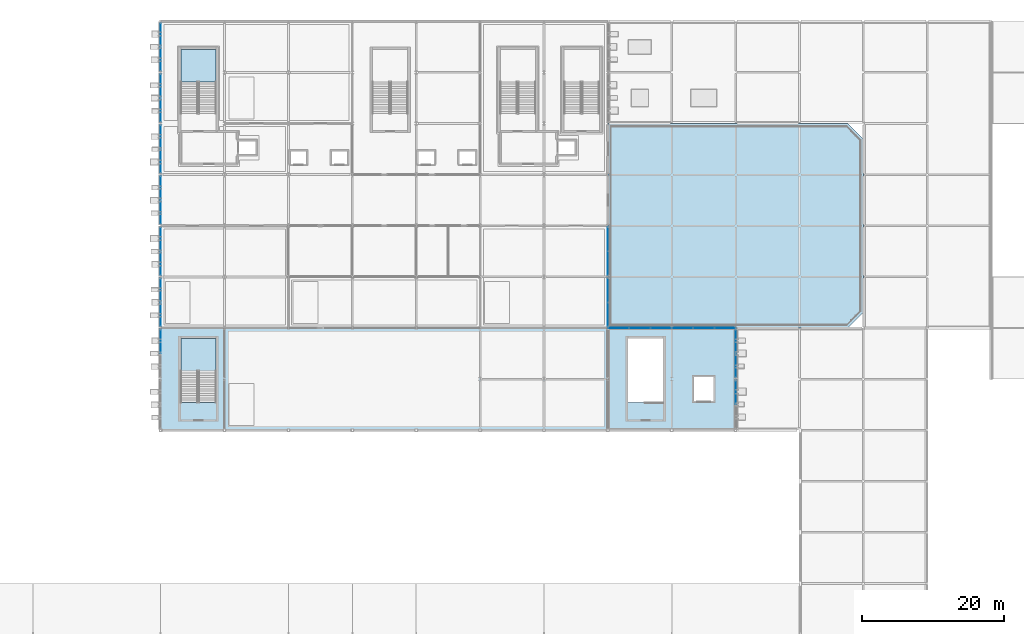
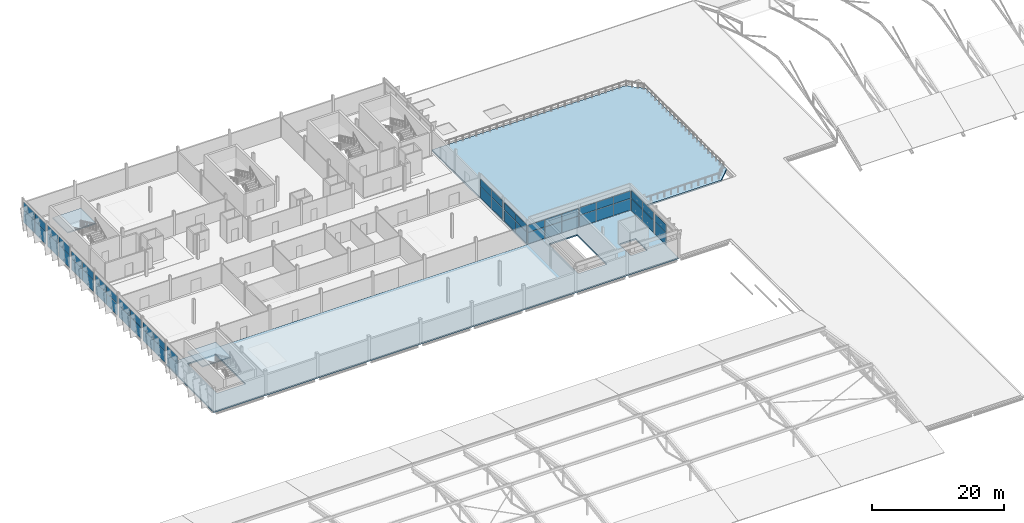
# One storey, part 55 of 78: 52 plates, 4 slabs, 15 elements without a shape of their own.
"""IFC4 building model written with IfcOpenShell, lengths in metres."""

import ifcopenshell
import ifcopenshell.guid

model = None  # the IFC model being written
_history = None  # IfcOwnerHistory: only IFC2X3 demands one
_inside = {}  # id of a spatial element -> (the spatial element, [elements in it])
_under = {}  # id of a project, library or spatial element -> (it, [spatial elements below it])
_declared = {}  # id of a project -> (the project, [libraries it declares])
_typed = {}  # id of a type object -> (the type object, [elements of that type])
_made_of = {}  # id of a material, layer set ... -> (it, [elements and type objects made of it])


def new_model(schema):
    """Start an empty IFC model of exactly this schema.

    Asked for "IFC4X3", IfcOpenShell would pick the latest addendum, in which some entities
    have other attributes; the version numbers below select the first issue.
    IFC2X3 requires an IfcOwnerHistory on every rooted entity: one is made here for all.
    """
    global model, _history
    if schema == "IFC4X3":
        model = ifcopenshell.file(schema_version=(4, 3, 0, 0))
    else:
        model = ifcopenshell.file(schema=schema)
    _inside.clear()
    _under.clear()
    _declared.clear()
    _typed.clear()
    _made_of.clear()
    _history = None
    if model.schema == "IFC2X3":
        org = make("IfcOrganization", Name="unknown")
        user = make(
            "IfcPersonAndOrganization",
            ThePerson=make("IfcPerson", FamilyName="unknown"),
            TheOrganization=org,
        )
        app = make(
            "IfcApplication",
            ApplicationDeveloper=org,
            Version="unknown",
            ApplicationFullName="unknown",
            ApplicationIdentifier="unknown",
        )
        _history = make(
            "IfcOwnerHistory",
            OwningUser=user,
            OwningApplication=app,
            ChangeAction="ADDED",
            CreationDate=0,
        )
    return model


def make(cls, **values):
    """One entity of the class cls with the attributes given. An attribute that is None is left unset."""
    return model.create_entity(
        cls, **{name: value for name, value in values.items() if value is not None}
    )


def rooted(cls, **values):
    """An entity with a GlobalId (a new one), such as an element, a storey or a relation."""
    return make(cls, GlobalId=ifcopenshell.guid.new(), OwnerHistory=_history, **values)


def si_unit(unit_type, name, prefix=None):
    """IfcSIUnit, for example si_unit("LENGTHUNIT", "METRE", prefix="MILLI")."""
    return make("IfcSIUnit", UnitType=unit_type, Prefix=prefix, Name=name)


def assignment(units):
    """IfcUnitAssignment: the units of a project."""
    return None if units is None else make("IfcUnitAssignment", Units=units)


def point(xyz):
    """IfcCartesianPoint."""
    return None if xyz is None else make("IfcCartesianPoint", Coordinates=xyz)


def direction(xyz):
    """IfcDirection."""
    return None if xyz is None else make("IfcDirection", DirectionRatios=xyz)


def frame(location, z_axis=None, x_axis=None):
    """IfcAxis2Placement3D, a coordinate frame: its origin and axes. An axis left out is left unset."""
    return make(
        "IfcAxis2Placement3D",
        Location=point(location),
        Axis=direction(z_axis),
        RefDirection=direction(x_axis),
    )


def frame_2d(location, x_axis=None):
    """IfcAxis2Placement2D, a coordinate frame in the plane: its origin and x axis."""
    return make(
        "IfcAxis2Placement2D", Location=point(location), RefDirection=direction(x_axis)
    )


def origin():
    """The frame at (0, 0, 0) with its axes left unset."""
    return frame((0.0, 0.0, 0.0))


def origin_2d():
    """The frame at (0, 0) in the plane with its x axis left unset."""
    return frame_2d((0.0, 0.0))


def place(relative_to, where):
    """IfcLocalPlacement: puts the frame where relative to a parent placement (None: the world)."""
    return make(
        "IfcLocalPlacement", PlacementRelTo=relative_to, RelativePlacement=where
    )


def context(
    kind, dimensions, precision=None, world=None, true_north=None, identifier=None
):
    """IfcGeometricRepresentationContext, for example the 3D "Model" context."""
    return make(
        "IfcGeometricRepresentationContext",
        ContextIdentifier=identifier,
        ContextType=kind,
        CoordinateSpaceDimension=dimensions,
        Precision=precision,
        WorldCoordinateSystem=world,
        TrueNorth=true_north,
    )


def subcontext(parent, identifier, kind, view, scale=None):
    """IfcGeometricRepresentationSubContext, for example "Body" below "Model"."""
    return make(
        "IfcGeometricRepresentationSubContext",
        ContextIdentifier=identifier,
        ContextType=kind,
        ParentContext=parent,
        TargetScale=scale,
        TargetView=view,
    )


def project(units=None, contexts=None):
    """IfcProject with its units and contexts."""
    return rooted(
        "IfcProject",
        Name="project",
        RepresentationContexts=contexts,
        UnitsInContext=assignment(units),
    )


def spatial(cls, under=None, at=None, **own):
    """A site, building, storey or space (cls), placed at a placement, below another one or the project."""
    s = rooted(cls, ObjectPlacement=at, **own)
    if under is not None:
        _under.setdefault(under.id(), (under, []))[1].append(s)
    return s


def polyline(points):
    """IfcPolyline through the points."""
    return make("IfcPolyline", Points=[point(p) for p in points])


def profile(cls, at=None, kind="AREA", **sizes):
    """A parametric profile (cls). Its sizes go by their IFC names, for example OverallWidth=200.0."""
    return make(cls, ProfileType=kind, Position=at, **sizes)


def rectangle(**sizes):
    """IfcRectangleProfileDef."""
    return profile("IfcRectangleProfileDef", **sizes)


def outline(outer, holes=None, kind="AREA"):
    """IfcArbitraryClosedProfileDef: a profile drawn as a closed curve; with holes, ...WithVoids."""
    if holes is None:
        return make("IfcArbitraryClosedProfileDef", ProfileType=kind, OuterCurve=outer)
    return make(
        "IfcArbitraryProfileDefWithVoids",
        ProfileType=kind,
        OuterCurve=outer,
        InnerCurves=holes,
    )


def extrude(swept, where, along, depth):
    """IfcExtrudedAreaSolid: the profile swept, set in the frame where, extruded along a direction by depth."""
    return make(
        "IfcExtrudedAreaSolid",
        SweptArea=swept,
        Position=where,
        ExtrudedDirection=direction(along),
        Depth=depth,
    )


def shape(context_of_items, identifier, shape_type, items):
    """IfcShapeRepresentation: the items that make up one representation, for example the "Body"."""
    return make(
        "IfcShapeRepresentation",
        ContextOfItems=context_of_items,
        RepresentationIdentifier=identifier,
        RepresentationType=shape_type,
        Items=items,
    )


def material(Name=None, Category=None):
    """IfcMaterial."""
    return make("IfcMaterial", Name=Name, Category=Category)


def layer(
    of_material, thickness, ventilated=None, Name=None, Category=None, Priority=None
):
    """IfcMaterialLayer: one layer of a wall or slab, of a material (None: an air gap)."""
    return make(
        "IfcMaterialLayer",
        Material=of_material,
        LayerThickness=thickness,
        IsVentilated=ventilated,
        Name=Name,
        Category=Category,
        Priority=Priority,
    )


def layer_set(layers, Name=None):
    """IfcMaterialLayerSet."""
    return make("IfcMaterialLayerSet", MaterialLayers=layers, LayerSetName=Name)


def made_of(thing, what):
    """Note that an element or type object is made of a material, layer set ...; save() writes the relation."""
    if what is not None:
        _made_of.setdefault(what.id(), (what, []))[1].append(thing)
    return thing


def type_object(cls, material=None, **own):
    """A type object (cls), such as IfcWallType, which elements share."""
    return made_of(rooted(cls, **own), material)


def element(
    cls,
    number,
    at=None,
    inside=None,
    cuts=None,
    type_object=None,
    material=None,
    context=None,
    identifier="Body",
    shape_type=None,
    held_by="IfcProductDefinitionShape",
    body=None,
    shapes=None,
    **own,
):
    """One element of the class cls, such as IfcWall. Its Tag is "e" and its number.

    at: its placement. inside: the storey or other place that contains it. cuts: it is an
    opening in that element (IfcRelVoidsElement). A single representation is given by context,
    identifier, shape_type and body (its items); several are given by shapes. held_by: the class
    of the entity that holds the representations. save() writes the other relations.
    """
    e = rooted(cls, Tag="e%d" % number, ObjectPlacement=at, **own)
    if body is not None:
        shapes = [shape(context, identifier, shape_type, body)]
    if shapes is not None:
        e.Representation = make(held_by, Representations=shapes)
    if inside is not None:
        _inside.setdefault(inside.id(), (inside, []))[1].append(e)
    if cuts is not None:
        rooted(
            "IfcRelVoidsElement", RelatingBuildingElement=cuts, RelatedOpeningElement=e
        )
    if type_object is not None:
        _typed.setdefault(type_object.id(), (type_object, []))[1].append(e)
    return made_of(e, material)


def aggregate(whole, parts):
    """IfcRelAggregates: a whole, such as a stair, and the parts it consists of."""
    return rooted("IfcRelAggregates", RelatingObject=whole, RelatedObjects=parts)


def save(model, path):
    """Write the relations noted so far, then the file.

    IfcRelAggregates (storeys below a building ...), IfcRelContainedInSpatialStructure (elements
    in a storey), IfcRelDefinesByType, IfcRelAssociatesMaterial and IfcRelDeclares: one each for
    every whole, place, type object, material and project.
    """
    for whole, parts in _under.values():
        aggregate(whole, parts)
    for where, things in _inside.values():
        rooted(
            "IfcRelContainedInSpatialStructure",
            RelatedElements=things,
            RelatingStructure=where,
        )
    for kind, things in _typed.values():
        rooted("IfcRelDefinesByType", RelatedObjects=things, RelatingType=kind)
    for what, things in _made_of.values():
        rooted("IfcRelAssociatesMaterial", RelatedObjects=things, RelatingMaterial=what)
    for by, libraries in _declared.values():
        rooted("IfcRelDeclares", RelatingContext=by, RelatedDefinitions=libraries)
    model.write(path)


model = new_model("IFC4")

# Units and contexts
model_context = context("Model", 3, precision=1e-05, world=origin(), true_north=direction((0.0, 1.0)))
body_context = subcontext(model_context, "Body", "Model", "MODEL_VIEW")
ifc_project = project(units=[si_unit("LENGTHUNIT", "METRE"), si_unit("AREAUNIT", "SQUARE_METRE"), si_unit("VOLUMEUNIT", "CUBIC_METRE"), si_unit("PLANEANGLEUNIT", "RADIAN"), si_unit("MASSUNIT", "GRAM", prefix="KILO")], contexts=[model_context])

# Site, building, storey
site_placement = place(None, origin())
site = spatial("IfcSite", under=ifc_project, at=site_placement, CompositionType="ELEMENT")
building_placement = place(site_placement, origin())
building = spatial("IfcBuilding", under=site, at=building_placement, Name="Celestram Park Convention Centre", CompositionType="ELEMENT")
storey_placement = place(building_placement, frame((0.0, 0.0, 19.800048828125)))
storey = spatial("IfcBuildingStorey", under=building, at=storey_placement, Name="L04", CompositionType="ELEMENT", Elevation=19.800048828125)

# Curtain wall, plates
ifc_material_1 = material(Name="Anodised Aluminium Alloy 6063-T6", Category="aluminium")
ifc_layer_1 = layer(ifc_material_1, 0.179931640625)
ifc_layer_set_1 = layer_set([ifc_layer_1], Name="Anodised Aluminium Alloy 6063-T6")
curtain_wall_type_1 = type_object("IfcCurtainWallType", Name="ARC-CW-685X390", PredefinedType="NOTDEFINED", material=ifc_layer_set_1)
curtain_wall_1_placement = place(storey_placement, origin())
curtain_wall_1 = element("IfcCurtainWall", 1, at=curtain_wall_1_placement, inside=storey, type_object=curtain_wall_type_1, Name="Unitised curtain wall CU-L04-227", PredefinedType="NOTDEFINED")
ifc_material_2 = material(Name="Insulated Glazing Unit 28 mm", Category="glass")
ifc_layer_2 = layer(ifc_material_2, 0.028076171875)
ifc_layer_set_2 = layer_set([ifc_layer_2], Name="Insulated Glazing Unit 28 mm")
plate_type_1 = type_object("IfcPlateType", Name="ARC-CWP-IGU28", PredefinedType="CURTAIN_PANEL", material=ifc_layer_set_2)
plate_1_placement = place(storey_placement, frame((117.0, 120.495849609375, 0.06005859375), z_axis=(0.0, 0.0, 1.0), x_axis=(0.0, -1.0, 0.0)))
plate_1 = element("IfcPlate", 2, at=plate_1_placement, type_object=plate_type_1, Name="CW-68X39 panel 1.1", PredefinedType="CURTAIN_PANEL", context=body_context, shape_type="SweptSolid", body=[
    extrude(rectangle(XDim=3.326416015625, YDim=0.028076171875, at=origin_2d()), origin(), (0.0, 0.0, 1.0), 2.251953125),
])
plate_2_placement = place(storey_placement, frame((117.0, 120.495849609375, 2.3720703125), z_axis=(0.0, 0.0, 1.0), x_axis=(0.0, -1.0, 0.0)))
plate_2 = element("IfcPlate", 3, at=plate_2_placement, type_object=plate_type_1, Name="CW-68X39 panel 1.2", PredefinedType="CURTAIN_PANEL", context=body_context, shape_type="SweptSolid", body=[
    extrude(rectangle(XDim=3.326416015625, YDim=0.028076171875, at=origin_2d()), origin(), (0.0, 0.0, 1.0), 1.471923828125),
])
plate_3_placement = place(storey_placement, frame((117.0, 117.104248046875, 0.06005859375), z_axis=(0.0, 0.0, 1.0), x_axis=(0.0, -1.0, 0.0)))
plate_3 = element("IfcPlate", 4, at=plate_3_placement, type_object=plate_type_1, Name="CW-68X39 panel 2.1", PredefinedType="CURTAIN_PANEL", context=body_context, shape_type="SweptSolid", body=[
    extrude(rectangle(XDim=3.326416015625, YDim=0.028076171875, at=origin_2d()), origin(), (0.0, 0.0, 1.0), 2.251953125),
])
plate_4_placement = place(storey_placement, frame((117.0, 117.104248046875, 2.3720703125), z_axis=(0.0, 0.0, 1.0), x_axis=(0.0, -1.0, 0.0)))
plate_4 = element("IfcPlate", 5, at=plate_4_placement, type_object=plate_type_1, Name="CW-68X39 panel 2.2", PredefinedType="CURTAIN_PANEL", context=body_context, shape_type="SweptSolid", body=[
    extrude(rectangle(XDim=3.326416015625, YDim=0.028076171875, at=origin_2d()), origin(), (0.0, 0.0, 1.0), 1.471923828125),
])
aggregate(curtain_wall_1, [plate_1, plate_2, plate_3, plate_4])

ifc_layer_3 = layer(ifc_material_1, 0.179931640625)
ifc_layer_set_3 = layer_set([ifc_layer_3], Name="Anodised Aluminium Alloy 6063-T6")
curtain_wall_type_2 = type_object("IfcCurtainWallType", Name="ARC-CW-683X390", PredefinedType="NOTDEFINED", material=ifc_layer_set_3)
curtain_wall_2_placement = place(storey_placement, origin())
curtain_wall_2 = element("IfcCurtainWall", 6, at=curtain_wall_2_placement, inside=storey, type_object=curtain_wall_type_2, Name="Unitised curtain wall CU-L04-228", PredefinedType="NOTDEFINED")
plate_5_placement = place(storey_placement, frame((117.0, 113.30126953125, 0.06005859375), z_axis=(0.0, 0.0, 1.0), x_axis=(0.0, -1.0, 0.0)))
plate_5 = element("IfcPlate", 7, at=plate_5_placement, type_object=plate_type_1, Name="CW-68X39 panel 1.1", PredefinedType="CURTAIN_PANEL", context=body_context, shape_type="SweptSolid", body=[
    extrude(rectangle(XDim=3.3154296875, YDim=0.028076171875, at=origin_2d()), origin(), (0.0, 0.0, 1.0), 2.251953125),
])
plate_6_placement = place(storey_placement, frame((117.0, 113.30126953125, 2.3720703125), z_axis=(0.0, 0.0, 1.0), x_axis=(0.0, -1.0, 0.0)))
plate_6 = element("IfcPlate", 8, at=plate_6_placement, type_object=plate_type_1, Name="CW-68X39 panel 1.2", PredefinedType="CURTAIN_PANEL", context=body_context, shape_type="SweptSolid", body=[
    extrude(rectangle(XDim=3.3154296875, YDim=0.028076171875, at=origin_2d()), origin(), (0.0, 0.0, 1.0), 1.471923828125),
])
aggregate(curtain_wall_2, [plate_5, plate_6])

ifc_layer_4 = layer(ifc_material_1, 0.179931640625)
ifc_layer_set_4 = layer_set([ifc_layer_4], Name="Anodised Aluminium Alloy 6063-T6")
curtain_wall_type_3 = type_object("IfcCurtainWallType", Name="ARC-CW-683X365", PredefinedType="NOTDEFINED", material=ifc_layer_set_4)
curtain_wall_3_placement = place(storey_placement, origin())
curtain_wall_3 = element("IfcCurtainWall", 9, at=curtain_wall_3_placement, inside=storey, type_object=curtain_wall_type_3, Name="Unitised curtain wall CU-L04-230", PredefinedType="NOTDEFINED")
plate_7_placement = place(storey_placement, frame((36.0, 120.491455078125, 0.059814453125), z_axis=(0.0, 0.0, 1.0), x_axis=(0.0, 1.0, 0.0)))
plate_7 = element("IfcPlate", 10, at=plate_7_placement, type_object=plate_type_1, Name="CW-68X36 panel 2.1", PredefinedType="CURTAIN_PANEL", context=body_context, shape_type="SweptSolid", body=[
    extrude(rectangle(XDim=3.318115234375, YDim=0.028076171875, at=origin_2d()), origin(), (0.0, 0.0, 1.0), 2.09912109375),
])
plate_8_placement = place(storey_placement, frame((36.0, 120.491455078125, 2.21923828125), z_axis=(0.0, 0.0, 1.0), x_axis=(0.0, 1.0, 0.0)))
plate_8 = element("IfcPlate", 11, at=plate_8_placement, type_object=plate_type_1, Name="CW-68X36 panel 2.2", PredefinedType="CURTAIN_PANEL", context=body_context, shape_type="SweptSolid", body=[
    extrude(rectangle(XDim=3.318115234375, YDim=0.028076171875, at=origin_2d()), origin(), (0.0, 0.0, 1.0), 1.368896484375),
])
aggregate(curtain_wall_3, [plate_7, plate_8])

curtain_wall_4_placement = place(storey_placement, origin())
curtain_wall_4 = element("IfcCurtainWall", 12, at=curtain_wall_4_placement, inside=storey, type_object=curtain_wall_type_3, Name="Unitised curtain wall CU-L04-231", PredefinedType="NOTDEFINED")
plate_9_placement = place(storey_placement, frame((36.0, 124.30859375, 0.059814453125), z_axis=(0.0, 0.0, 1.0), x_axis=(0.0, 1.0, 0.0)))
plate_9 = element("IfcPlate", 13, at=plate_9_placement, type_object=plate_type_1, Name="CW-68X36 panel 1.1", PredefinedType="CURTAIN_PANEL", context=body_context, shape_type="SweptSolid", body=[
    extrude(rectangle(XDim=3.318115234375, YDim=0.028076171875, at=origin_2d()), origin(), (0.0, 0.0, 1.0), 2.09912109375),
])
plate_10_placement = place(storey_placement, frame((36.0, 124.30859375, 2.21923828125), z_axis=(0.0, 0.0, 1.0), x_axis=(0.0, 1.0, 0.0)))
plate_10 = element("IfcPlate", 14, at=plate_10_placement, type_object=plate_type_1, Name="CW-68X36 panel 1.2", PredefinedType="CURTAIN_PANEL", context=body_context, shape_type="SweptSolid", body=[
    extrude(rectangle(XDim=3.318115234375, YDim=0.028076171875, at=origin_2d()), origin(), (0.0, 0.0, 1.0), 1.368896484375),
])
plate_11_placement = place(storey_placement, frame((36.0, 127.69140625, 0.059814453125), z_axis=(0.0, 0.0, 1.0), x_axis=(0.0, 1.0, 0.0)))
plate_11 = element("IfcPlate", 15, at=plate_11_placement, type_object=plate_type_1, Name="CW-68X36 panel 2.1", PredefinedType="CURTAIN_PANEL", context=body_context, shape_type="SweptSolid", body=[
    extrude(rectangle(XDim=3.318115234375, YDim=0.028076171875, at=origin_2d()), origin(), (0.0, 0.0, 1.0), 2.09912109375),
])
plate_12_placement = place(storey_placement, frame((36.0, 127.69140625, 2.21923828125), z_axis=(0.0, 0.0, 1.0), x_axis=(0.0, 1.0, 0.0)))
plate_12 = element("IfcPlate", 16, at=plate_12_placement, type_object=plate_type_1, Name="CW-68X36 panel 2.2", PredefinedType="CURTAIN_PANEL", context=body_context, shape_type="SweptSolid", body=[
    extrude(rectangle(XDim=3.318115234375, YDim=0.028076171875, at=origin_2d()), origin(), (0.0, 0.0, 1.0), 1.368896484375),
])
aggregate(curtain_wall_4, [plate_9, plate_10, plate_11, plate_12])

curtain_wall_5_placement = place(storey_placement, origin())
curtain_wall_5 = element("IfcCurtainWall", 17, at=curtain_wall_5_placement, inside=storey, type_object=curtain_wall_type_3, Name="Unitised curtain wall CU-L04-232", PredefinedType="NOTDEFINED")
plate_13_placement = place(storey_placement, frame((36.0, 131.508544921875, 0.059814453125), z_axis=(0.0, 0.0, 1.0), x_axis=(0.0, 1.0, 0.0)))
plate_13 = element("IfcPlate", 18, at=plate_13_placement, type_object=plate_type_1, Name="CW-68X36 panel 1.1", PredefinedType="CURTAIN_PANEL", context=body_context, shape_type="SweptSolid", body=[
    extrude(rectangle(XDim=3.318115234375, YDim=0.028076171875, at=origin_2d()), origin(), (0.0, 0.0, 1.0), 2.09912109375),
])
plate_14_placement = place(storey_placement, frame((36.0, 131.508544921875, 2.21923828125), z_axis=(0.0, 0.0, 1.0), x_axis=(0.0, 1.0, 0.0)))
plate_14 = element("IfcPlate", 19, at=plate_14_placement, type_object=plate_type_1, Name="CW-68X36 panel 1.2", PredefinedType="CURTAIN_PANEL", context=body_context, shape_type="SweptSolid", body=[
    extrude(rectangle(XDim=3.318115234375, YDim=0.028076171875, at=origin_2d()), origin(), (0.0, 0.0, 1.0), 1.368896484375),
])
plate_15_placement = place(storey_placement, frame((36.0, 134.8916015625, 0.059814453125), z_axis=(0.0, 0.0, 1.0), x_axis=(0.0, 1.0, 0.0)))
plate_15 = element("IfcPlate", 20, at=plate_15_placement, type_object=plate_type_1, Name="CW-68X36 panel 2.1", PredefinedType="CURTAIN_PANEL", context=body_context, shape_type="SweptSolid", body=[
    extrude(rectangle(XDim=3.318115234375, YDim=0.028076171875, at=origin_2d()), origin(), (0.0, 0.0, 1.0), 2.09912109375),
])
plate_16_placement = place(storey_placement, frame((36.0, 134.8916015625, 2.21923828125), z_axis=(0.0, 0.0, 1.0), x_axis=(0.0, 1.0, 0.0)))
plate_16 = element("IfcPlate", 21, at=plate_16_placement, type_object=plate_type_1, Name="CW-68X36 panel 2.2", PredefinedType="CURTAIN_PANEL", context=body_context, shape_type="SweptSolid", body=[
    extrude(rectangle(XDim=3.318115234375, YDim=0.028076171875, at=origin_2d()), origin(), (0.0, 0.0, 1.0), 1.368896484375),
])
aggregate(curtain_wall_5, [plate_13, plate_14, plate_15, plate_16])

curtain_wall_6_placement = place(storey_placement, origin())
curtain_wall_6 = element("IfcCurtainWall", 22, at=curtain_wall_6_placement, inside=storey, type_object=curtain_wall_type_3, Name="Unitised curtain wall CU-L04-233", PredefinedType="NOTDEFINED")
plate_17_placement = place(storey_placement, frame((36.0, 138.70849609375, 0.059814453125), z_axis=(0.0, 0.0, 1.0), x_axis=(0.0, 1.0, 0.0)))
plate_17 = element("IfcPlate", 23, at=plate_17_placement, type_object=plate_type_1, Name="CW-68X36 panel 1.1", PredefinedType="CURTAIN_PANEL", context=body_context, shape_type="SweptSolid", body=[
    extrude(rectangle(XDim=3.318115234375, YDim=0.028076171875, at=origin_2d()), origin(), (0.0, 0.0, 1.0), 2.09912109375),
])
plate_18_placement = place(storey_placement, frame((36.0, 138.70849609375, 2.21923828125), z_axis=(0.0, 0.0, 1.0), x_axis=(0.0, 1.0, 0.0)))
plate_18 = element("IfcPlate", 24, at=plate_18_placement, type_object=plate_type_1, Name="CW-68X36 panel 1.2", PredefinedType="CURTAIN_PANEL", context=body_context, shape_type="SweptSolid", body=[
    extrude(rectangle(XDim=3.318115234375, YDim=0.028076171875, at=origin_2d()), origin(), (0.0, 0.0, 1.0), 1.368896484375),
])
plate_19_placement = place(storey_placement, frame((36.0, 142.091552734375, 0.059814453125), z_axis=(0.0, 0.0, 1.0), x_axis=(0.0, 1.0, 0.0)))
plate_19 = element("IfcPlate", 25, at=plate_19_placement, type_object=plate_type_1, Name="CW-68X36 panel 2.1", PredefinedType="CURTAIN_PANEL", context=body_context, shape_type="SweptSolid", body=[
    extrude(rectangle(XDim=3.318115234375, YDim=0.028076171875, at=origin_2d()), origin(), (0.0, 0.0, 1.0), 2.09912109375),
])
plate_20_placement = place(storey_placement, frame((36.0, 142.091552734375, 2.21923828125), z_axis=(0.0, 0.0, 1.0), x_axis=(0.0, 1.0, 0.0)))
plate_20 = element("IfcPlate", 26, at=plate_20_placement, type_object=plate_type_1, Name="CW-68X36 panel 2.2", PredefinedType="CURTAIN_PANEL", context=body_context, shape_type="SweptSolid", body=[
    extrude(rectangle(XDim=3.318115234375, YDim=0.028076171875, at=origin_2d()), origin(), (0.0, 0.0, 1.0), 1.368896484375),
])
aggregate(curtain_wall_6, [plate_17, plate_18, plate_19, plate_20])

curtain_wall_7_placement = place(storey_placement, origin())
curtain_wall_7 = element("IfcCurtainWall", 27, at=curtain_wall_7_placement, inside=storey, type_object=curtain_wall_type_3, Name="Unitised curtain wall CU-L04-234", PredefinedType="NOTDEFINED")
plate_21_placement = place(storey_placement, frame((36.0, 145.908447265625, 0.059814453125), z_axis=(0.0, 0.0, 1.0), x_axis=(0.0, 1.0, 0.0)))
plate_21 = element("IfcPlate", 28, at=plate_21_placement, type_object=plate_type_1, Name="CW-68X36 panel 1.1", PredefinedType="CURTAIN_PANEL", context=body_context, shape_type="SweptSolid", body=[
    extrude(rectangle(XDim=3.318115234375, YDim=0.028076171875, at=origin_2d()), origin(), (0.0, 0.0, 1.0), 2.09912109375),
])
plate_22_placement = place(storey_placement, frame((36.0, 145.908447265625, 2.21923828125), z_axis=(0.0, 0.0, 1.0), x_axis=(0.0, 1.0, 0.0)))
plate_22 = element("IfcPlate", 29, at=plate_22_placement, type_object=plate_type_1, Name="CW-68X36 panel 1.2", PredefinedType="CURTAIN_PANEL", context=body_context, shape_type="SweptSolid", body=[
    extrude(rectangle(XDim=3.318115234375, YDim=0.028076171875, at=origin_2d()), origin(), (0.0, 0.0, 1.0), 1.368896484375),
])
plate_23_placement = place(storey_placement, frame((36.0, 149.29150390625, 0.059814453125), z_axis=(0.0, 0.0, 1.0), x_axis=(0.0, 1.0, 0.0)))
plate_23 = element("IfcPlate", 30, at=plate_23_placement, type_object=plate_type_1, Name="CW-68X36 panel 2.1", PredefinedType="CURTAIN_PANEL", context=body_context, shape_type="SweptSolid", body=[
    extrude(rectangle(XDim=3.318115234375, YDim=0.028076171875, at=origin_2d()), origin(), (0.0, 0.0, 1.0), 2.09912109375),
])
plate_24_placement = place(storey_placement, frame((36.0, 149.29150390625, 2.21923828125), z_axis=(0.0, 0.0, 1.0), x_axis=(0.0, 1.0, 0.0)))
plate_24 = element("IfcPlate", 31, at=plate_24_placement, type_object=plate_type_1, Name="CW-68X36 panel 2.2", PredefinedType="CURTAIN_PANEL", context=body_context, shape_type="SweptSolid", body=[
    extrude(rectangle(XDim=3.318115234375, YDim=0.028076171875, at=origin_2d()), origin(), (0.0, 0.0, 1.0), 1.368896484375),
])
aggregate(curtain_wall_7, [plate_21, plate_22, plate_23, plate_24])

ifc_layer_5 = layer(ifc_material_1, 0.179931640625)
ifc_layer_set_5 = layer_set([ifc_layer_5], Name="Anodised Aluminium Alloy 6063-T6")
curtain_wall_type_4 = type_object("IfcCurtainWallType", Name="ARC-CW-683X401", PredefinedType="NOTDEFINED", material=ifc_layer_set_5)
curtain_wall_8_placement = place(storey_placement, origin())
curtain_wall_8 = element("IfcCurtainWall", 32, at=curtain_wall_8_placement, inside=storey, type_object=curtain_wall_type_4, Name="Unitised curtain wall CU-L04-235", PredefinedType="NOTDEFINED")
plate_25_placement = place(storey_placement, frame((36.0, 153.1083984375, 0.06005859375), z_axis=(0.0, 0.0, 1.0), x_axis=(0.0, 1.0, 0.0)))
plate_25 = element("IfcPlate", 33, at=plate_25_placement, type_object=plate_type_1, Name="CW-68X40 panel 1.1", PredefinedType="CURTAIN_PANEL", context=body_context, shape_type="SweptSolid", body=[
    extrude(rectangle(XDim=3.318115234375, YDim=0.028076171875, at=origin_2d()), origin(), (0.0, 0.0, 1.0), 2.31591796875),
])
plate_26_placement = place(storey_placement, frame((36.0, 153.1083984375, 2.43603515625), z_axis=(0.0, 0.0, 1.0), x_axis=(0.0, 1.0, 0.0)))
plate_26 = element("IfcPlate", 34, at=plate_26_placement, type_object=plate_type_1, Name="CW-68X40 panel 1.2", PredefinedType="CURTAIN_PANEL", context=body_context, shape_type="SweptSolid", body=[
    extrude(rectangle(XDim=3.318115234375, YDim=0.028076171875, at=origin_2d()), origin(), (0.0, 0.0, 1.0), 1.513916015625),
])
plate_27_placement = place(storey_placement, frame((36.0, 156.491455078125, 0.06005859375), z_axis=(0.0, 0.0, 1.0), x_axis=(0.0, 1.0, 0.0)))
plate_27 = element("IfcPlate", 35, at=plate_27_placement, type_object=plate_type_1, Name="CW-68X40 panel 2.1", PredefinedType="CURTAIN_PANEL", context=body_context, shape_type="SweptSolid", body=[
    extrude(rectangle(XDim=3.318115234375, YDim=0.028076171875, at=origin_2d()), origin(), (0.0, 0.0, 1.0), 2.31591796875),
])
plate_28_placement = place(storey_placement, frame((36.0, 156.491455078125, 2.43603515625), z_axis=(0.0, 0.0, 1.0), x_axis=(0.0, 1.0, 0.0)))
plate_28 = element("IfcPlate", 36, at=plate_28_placement, type_object=plate_type_1, Name="CW-68X40 panel 2.2", PredefinedType="CURTAIN_PANEL", context=body_context, shape_type="SweptSolid", body=[
    extrude(rectangle(XDim=3.318115234375, YDim=0.028076171875, at=origin_2d()), origin(), (0.0, 0.0, 1.0), 1.513916015625),
])
aggregate(curtain_wall_8, [plate_25, plate_26, plate_27, plate_28])

curtain_wall_9_placement = place(storey_placement, origin())
curtain_wall_9 = element("IfcCurtainWall", 37, at=curtain_wall_9_placement, inside=storey, type_object=curtain_wall_type_2, Name="Unitised curtain wall CU-L04-236", PredefinedType="NOTDEFINED")
plate_29_placement = place(storey_placement, frame((36.0, 160.30859375, 0.06005859375), z_axis=(0.0, 0.0, 1.0), x_axis=(0.0, 1.0, 0.0)))
plate_29 = element("IfcPlate", 38, at=plate_29_placement, type_object=plate_type_1, Name="CW-68X39 panel 1.1", PredefinedType="CURTAIN_PANEL", context=body_context, shape_type="SweptSolid", body=[
    extrude(rectangle(XDim=3.318115234375, YDim=0.028076171875, at=origin_2d()), origin(), (0.0, 0.0, 1.0), 2.251953125),
])
plate_30_placement = place(storey_placement, frame((36.0, 160.30859375, 2.3720703125), z_axis=(0.0, 0.0, 1.0), x_axis=(0.0, 1.0, 0.0)))
plate_30 = element("IfcPlate", 39, at=plate_30_placement, type_object=plate_type_1, Name="CW-68X39 panel 1.2", PredefinedType="CURTAIN_PANEL", context=body_context, shape_type="SweptSolid", body=[
    extrude(rectangle(XDim=3.318115234375, YDim=0.028076171875, at=origin_2d()), origin(), (0.0, 0.0, 1.0), 1.471923828125),
])
plate_31_placement = place(storey_placement, frame((36.0, 163.69140625, 0.06005859375), z_axis=(0.0, 0.0, 1.0), x_axis=(0.0, 1.0, 0.0)))
plate_31 = element("IfcPlate", 40, at=plate_31_placement, type_object=plate_type_1, Name="CW-68X39 panel 2.1", PredefinedType="CURTAIN_PANEL", context=body_context, shape_type="SweptSolid", body=[
    extrude(rectangle(XDim=3.318115234375, YDim=0.028076171875, at=origin_2d()), origin(), (0.0, 0.0, 1.0), 2.251953125),
])
plate_32_placement = place(storey_placement, frame((36.0, 163.69140625, 2.3720703125), z_axis=(0.0, 0.0, 1.0), x_axis=(0.0, 1.0, 0.0)))
plate_32 = element("IfcPlate", 41, at=plate_32_placement, type_object=plate_type_1, Name="CW-68X39 panel 2.2", PredefinedType="CURTAIN_PANEL", context=body_context, shape_type="SweptSolid", body=[
    extrude(rectangle(XDim=3.318115234375, YDim=0.028076171875, at=origin_2d()), origin(), (0.0, 0.0, 1.0), 1.471923828125),
])
aggregate(curtain_wall_9, [plate_29, plate_30, plate_31, plate_32])

ifc_layer_6 = layer(ifc_material_1, 0.179931640625)
ifc_layer_set_6 = layer_set([ifc_layer_6], Name="Anodised Aluminium Alloy 6063-T6")
curtain_wall_type_5 = type_object("IfcCurtainWallType", Name="ARC-CW-685X359", PredefinedType="NOTDEFINED", material=ifc_layer_set_6)
curtain_wall_10_placement = place(storey_placement, origin())
curtain_wall_10 = element("IfcCurtainWall", 42, at=curtain_wall_10_placement, inside=storey, type_object=curtain_wall_type_5, Name="Unitised curtain wall CU-L04-239", PredefinedType="NOTDEFINED")
plate_33_placement = place(storey_placement, frame((99.0, 134.895751953125, 0.06005859375), z_axis=(0.0, 0.0, 1.0), x_axis=(0.0, -1.0, 0.0)))
plate_33 = element("IfcPlate", 43, at=plate_33_placement, type_object=plate_type_1, Name="CW-68X35 panel 1.1", PredefinedType="CURTAIN_PANEL", context=body_context, shape_type="SweptSolid", body=[
    extrude(rectangle(XDim=3.326416015625, YDim=0.028076171875, at=origin_2d()), origin(), (0.0, 0.0, 1.0), 2.06298828125),
])
plate_34_placement = place(storey_placement, frame((99.0, 134.895751953125, 2.18310546875), z_axis=(0.0, 0.0, 1.0), x_axis=(0.0, -1.0, 0.0)))
plate_34 = element("IfcPlate", 44, at=plate_34_placement, type_object=plate_type_1, Name="CW-68X35 panel 1.2", PredefinedType="CURTAIN_PANEL", context=body_context, shape_type="SweptSolid", body=[
    extrude(rectangle(XDim=3.326416015625, YDim=0.028076171875, at=origin_2d()), origin(), (0.0, 0.0, 1.0), 1.344970703125),
])
plate_35_placement = place(storey_placement, frame((99.0, 131.504150390625, 0.06005859375), z_axis=(0.0, 0.0, 1.0), x_axis=(0.0, -1.0, 0.0)))
plate_35 = element("IfcPlate", 45, at=plate_35_placement, type_object=plate_type_1, Name="CW-68X35 panel 2.1", PredefinedType="CURTAIN_PANEL", context=body_context, shape_type="SweptSolid", body=[
    extrude(rectangle(XDim=3.326416015625, YDim=0.028076171875, at=origin_2d()), origin(), (0.0, 0.0, 1.0), 2.06298828125),
])
plate_36_placement = place(storey_placement, frame((99.0, 131.504150390625, 2.18310546875), z_axis=(0.0, 0.0, 1.0), x_axis=(0.0, -1.0, 0.0)))
plate_36 = element("IfcPlate", 46, at=plate_36_placement, type_object=plate_type_1, Name="CW-68X35 panel 2.2", PredefinedType="CURTAIN_PANEL", context=body_context, shape_type="SweptSolid", body=[
    extrude(rectangle(XDim=3.326416015625, YDim=0.028076171875, at=origin_2d()), origin(), (0.0, 0.0, 1.0), 1.344970703125),
])
aggregate(curtain_wall_10, [plate_33, plate_34, plate_35, plate_36])

curtain_wall_11_placement = place(storey_placement, origin())
curtain_wall_11 = element("IfcCurtainWall", 47, at=curtain_wall_11_placement, inside=storey, type_object=curtain_wall_type_5, Name="Unitised curtain wall CU-L04-240", PredefinedType="NOTDEFINED")
plate_37_placement = place(storey_placement, frame((99.0, 127.69580078125, 0.06005859375), z_axis=(0.0, 0.0, 1.0), x_axis=(0.0, -1.0, 0.0)))
plate_37 = element("IfcPlate", 48, at=plate_37_placement, type_object=plate_type_1, Name="CW-68X35 panel 1.1", PredefinedType="CURTAIN_PANEL", context=body_context, shape_type="SweptSolid", body=[
    extrude(rectangle(XDim=3.326416015625, YDim=0.028076171875, at=origin_2d()), origin(), (0.0, 0.0, 1.0), 2.06298828125),
])
plate_38_placement = place(storey_placement, frame((99.0, 127.69580078125, 2.18310546875), z_axis=(0.0, 0.0, 1.0), x_axis=(0.0, -1.0, 0.0)))
plate_38 = element("IfcPlate", 49, at=plate_38_placement, type_object=plate_type_1, Name="CW-68X35 panel 1.2", PredefinedType="CURTAIN_PANEL", context=body_context, shape_type="SweptSolid", body=[
    extrude(rectangle(XDim=3.326416015625, YDim=0.028076171875, at=origin_2d()), origin(), (0.0, 0.0, 1.0), 1.344970703125),
])
plate_39_placement = place(storey_placement, frame((99.0, 124.30419921875, 0.06005859375), z_axis=(0.0, 0.0, 1.0), x_axis=(0.0, -1.0, 0.0)))
plate_39 = element("IfcPlate", 50, at=plate_39_placement, type_object=plate_type_1, Name="CW-68X35 panel 2.1", PredefinedType="CURTAIN_PANEL", context=body_context, shape_type="SweptSolid", body=[
    extrude(rectangle(XDim=3.326416015625, YDim=0.028076171875, at=origin_2d()), origin(), (0.0, 0.0, 1.0), 2.06298828125),
])
plate_40_placement = place(storey_placement, frame((99.0, 124.30419921875, 2.18310546875), z_axis=(0.0, 0.0, 1.0), x_axis=(0.0, -1.0, 0.0)))
plate_40 = element("IfcPlate", 51, at=plate_40_placement, type_object=plate_type_1, Name="CW-68X35 panel 2.2", PredefinedType="CURTAIN_PANEL", context=body_context, shape_type="SweptSolid", body=[
    extrude(rectangle(XDim=3.326416015625, YDim=0.028076171875, at=origin_2d()), origin(), (0.0, 0.0, 1.0), 1.344970703125),
])
aggregate(curtain_wall_11, [plate_37, plate_38, plate_39, plate_40])

ifc_layer_7 = layer(ifc_material_1, 0.179931640625)
ifc_layer_set_7 = layer_set([ifc_layer_7], Name="Anodised Aluminium Alloy 6063-T6")
curtain_wall_type_6 = type_object("IfcCurtainWallType", Name="ARC-CW-899X359", PredefinedType="NOTDEFINED", material=ifc_layer_set_7)
curtain_wall_12_placement = place(storey_placement, origin())
curtain_wall_12 = element("IfcCurtainWall", 52, at=curtain_wall_12_placement, inside=storey, type_object=curtain_wall_type_6, Name="Unitised curtain wall CU-L04-241", PredefinedType="NOTDEFINED")
ifc_material_3 = material(Name="Insulated Glazing Unit 38 mm", Category="glass")
ifc_layer_8 = layer(ifc_material_3, 0.0380859375)
ifc_layer_set_8 = layer_set([ifc_layer_8], Name="Insulated Glazing Unit 38 mm")
plate_type_2 = type_object("IfcPlateType", Name="ARC-CWP-IGU38", PredefinedType="CURTAIN_PANEL", material=ifc_layer_set_8)
plate_41_placement = place(storey_placement, frame((100.52197265625, 122.39990234375, 0.06494140625), z_axis=(0.0, 0.0, 1.0), x_axis=(1.0, 0.0, 0.0)))
plate_41 = element("IfcPlate", 53, at=plate_41_placement, type_object=plate_type_2, Name="CW-89X35 panel 1.1", PredefinedType="CURTAIN_PANEL", context=body_context, shape_type="SweptSolid", body=[
    extrude(rectangle(XDim=2.88427734375, YDim=0.0380859375, at=origin_2d()), origin(), (0.0, 0.0, 1.0), 2.055419921875),
])
plate_42_placement = place(storey_placement, frame((100.52197265625, 122.39990234375, 2.185546875), z_axis=(0.0, 0.0, 1.0), x_axis=(1.0, 0.0, 0.0)))
plate_42 = element("IfcPlate", 54, at=plate_42_placement, type_object=plate_type_2, Name="CW-89X35 panel 1.2", PredefinedType="CURTAIN_PANEL", context=body_context, shape_type="SweptSolid", body=[
    extrude(rectangle(XDim=2.88427734375, YDim=0.0380859375, at=origin_2d()), origin(), (0.0, 0.0, 1.0), 1.33740234375),
])
plate_43_placement = place(storey_placement, frame((103.5, 122.39990234375, 0.06494140625), z_axis=(0.0, 0.0, 1.0), x_axis=(1.0, 0.0, 0.0)))
plate_43 = element("IfcPlate", 55, at=plate_43_placement, type_object=plate_type_2, Name="CW-89X35 panel 2.1", PredefinedType="CURTAIN_PANEL", context=body_context, shape_type="SweptSolid", body=[
    extrude(rectangle(XDim=2.921630859375, YDim=0.0380859375, at=origin_2d()), origin(), (0.0, 0.0, 1.0), 2.055419921875),
])
plate_44_placement = place(storey_placement, frame((103.5, 122.39990234375, 2.185546875), z_axis=(0.0, 0.0, 1.0), x_axis=(1.0, 0.0, 0.0)))
plate_44 = element("IfcPlate", 56, at=plate_44_placement, type_object=plate_type_2, Name="CW-89X35 panel 2.2", PredefinedType="CURTAIN_PANEL", context=body_context, shape_type="SweptSolid", body=[
    extrude(rectangle(XDim=2.921630859375, YDim=0.0380859375, at=origin_2d()), origin(), (0.0, 0.0, 1.0), 1.33740234375),
])
plate_45_placement = place(storey_placement, frame((106.47802734375, 122.39990234375, 0.06494140625), z_axis=(0.0, 0.0, 1.0), x_axis=(1.0, 0.0, 0.0)))
plate_45 = element("IfcPlate", 57, at=plate_45_placement, type_object=plate_type_2, Name="CW-89X35 panel 3.1", PredefinedType="CURTAIN_PANEL", context=body_context, shape_type="SweptSolid", body=[
    extrude(rectangle(XDim=2.88427734375, YDim=0.0380859375, at=origin_2d()), origin(), (0.0, 0.0, 1.0), 2.055419921875),
])
plate_46_placement = place(storey_placement, frame((106.47802734375, 122.39990234375, 2.185546875), z_axis=(0.0, 0.0, 1.0), x_axis=(1.0, 0.0, 0.0)))
plate_46 = element("IfcPlate", 58, at=plate_46_placement, type_object=plate_type_2, Name="CW-89X35 panel 3.2", PredefinedType="CURTAIN_PANEL", context=body_context, shape_type="SweptSolid", body=[
    extrude(rectangle(XDim=2.88427734375, YDim=0.0380859375, at=origin_2d()), origin(), (0.0, 0.0, 1.0), 1.33740234375),
])
aggregate(curtain_wall_12, [plate_41, plate_42, plate_43, plate_44, plate_45, plate_46])

ifc_layer_9 = layer(ifc_material_1, 0.179931640625)
ifc_layer_set_9 = layer_set([ifc_layer_9], Name="Anodised Aluminium Alloy 6063-T6")
curtain_wall_type_7 = type_object("IfcCurtainWallType", Name="ARC-CW-899X365", PredefinedType="NOTDEFINED", material=ifc_layer_set_9)
curtain_wall_13_placement = place(storey_placement, origin())
curtain_wall_13 = element("IfcCurtainWall", 59, at=curtain_wall_13_placement, inside=storey, type_object=curtain_wall_type_7, Name="Unitised curtain wall CU-L04-242", PredefinedType="NOTDEFINED")
plate_47_placement = place(storey_placement, frame((109.52197265625, 122.39990234375, 0.06494140625), z_axis=(0.0, 0.0, 1.0), x_axis=(1.0, 0.0, 0.0)))
plate_47 = element("IfcPlate", 60, at=plate_47_placement, type_object=plate_type_2, Name="CW-89X36 panel 1.1", PredefinedType="CURTAIN_PANEL", context=body_context, shape_type="SweptSolid", body=[
    extrude(rectangle(XDim=2.88427734375, YDim=0.0380859375, at=origin_2d()), origin(), (0.0, 0.0, 1.0), 2.091552734375),
])
plate_48_placement = place(storey_placement, frame((109.52197265625, 122.39990234375, 2.22119140625), z_axis=(0.0, 0.0, 1.0), x_axis=(1.0, 0.0, 0.0)))
plate_48 = element("IfcPlate", 61, at=plate_48_placement, type_object=plate_type_2, Name="CW-89X36 panel 1.2", PredefinedType="CURTAIN_PANEL", context=body_context, shape_type="SweptSolid", body=[
    extrude(rectangle(XDim=2.88427734375, YDim=0.0380859375, at=origin_2d()), origin(), (0.0, 0.0, 1.0), 1.361572265625),
])
plate_49_placement = place(storey_placement, frame((112.5, 122.39990234375, 0.06494140625), z_axis=(0.0, 0.0, 1.0), x_axis=(1.0, 0.0, 0.0)))
plate_49 = element("IfcPlate", 62, at=plate_49_placement, type_object=plate_type_2, Name="CW-89X36 panel 2.1", PredefinedType="CURTAIN_PANEL", context=body_context, shape_type="SweptSolid", body=[
    extrude(rectangle(XDim=2.921630859375, YDim=0.0380859375, at=origin_2d()), origin(), (0.0, 0.0, 1.0), 2.091552734375),
])
plate_50_placement = place(storey_placement, frame((112.5, 122.39990234375, 2.22119140625), z_axis=(0.0, 0.0, 1.0), x_axis=(1.0, 0.0, 0.0)))
plate_50 = element("IfcPlate", 63, at=plate_50_placement, type_object=plate_type_2, Name="CW-89X36 panel 2.2", PredefinedType="CURTAIN_PANEL", context=body_context, shape_type="SweptSolid", body=[
    extrude(rectangle(XDim=2.921630859375, YDim=0.0380859375, at=origin_2d()), origin(), (0.0, 0.0, 1.0), 1.361572265625),
])
plate_51_placement = place(storey_placement, frame((115.47802734375, 122.39990234375, 0.06494140625), z_axis=(0.0, 0.0, 1.0), x_axis=(1.0, 0.0, 0.0)))
plate_51 = element("IfcPlate", 64, at=plate_51_placement, type_object=plate_type_2, Name="CW-89X36 panel 3.1", PredefinedType="CURTAIN_PANEL", context=body_context, shape_type="SweptSolid", body=[
    extrude(rectangle(XDim=2.88427734375, YDim=0.0380859375, at=origin_2d()), origin(), (0.0, 0.0, 1.0), 2.091552734375),
])
plate_52_placement = place(storey_placement, frame((115.47802734375, 122.39990234375, 2.22119140625), z_axis=(0.0, 0.0, 1.0), x_axis=(1.0, 0.0, 0.0)))
plate_52 = element("IfcPlate", 65, at=plate_52_placement, type_object=plate_type_2, Name="CW-89X36 panel 3.2", PredefinedType="CURTAIN_PANEL", context=body_context, shape_type="SweptSolid", body=[
    extrude(rectangle(XDim=2.88427734375, YDim=0.0380859375, at=origin_2d()), origin(), (0.0, 0.0, 1.0), 1.361572265625),
])
aggregate(curtain_wall_13, [plate_47, plate_48, plate_49, plate_50, plate_51, plate_52])

# Slab
ifc_material_4 = material(Name="Concrete C35/45", Category="concrete")
ifc_layer_10 = layer(ifc_material_4, 0.25)
ifc_layer_set_10 = layer_set([ifc_layer_10], Name="Concrete C35/45")
slab_type_1 = type_object("IfcSlabType", Name="STR-SLB-FLR250", PredefinedType="FLOOR", material=ifc_layer_set_10)
slab_1_placement = place(storey_placement, frame((0.0, 0.0, -0.25)))
element("IfcSlab", 66, at=slab_1_placement, inside=storey, type_object=slab_type_1, Name="Floor slab L04-CNC", PredefinedType="FLOOR", context=body_context, shape_type="SweptSolid", body=[
    extrude(outline(polyline([(36.0, 108.0), (36.0, 122.39990234375), (117.0, 122.39990234375), (117.0, 108.0), (36.0, 108.0)]), holes=[polyline([(38.840087890625, 120.89990234375), (38.840087890625, 111.906005859375), (43.800048828125, 111.906005859375), (43.800048828125, 120.89990234375), (38.840087890625, 120.89990234375)]), polyline([(113.949951171875, 112.050048828125), (113.949951171875, 115.550048828125), (111.050048828125, 115.550048828125), (111.050048828125, 112.050048828125), (113.949951171875, 112.050048828125)]), polyline([(106.800048828125, 120.89990234375), (101.840087890625, 120.89990234375), (101.840087890625, 111.906005859375), (106.800048828125, 111.906005859375), (106.800048828125, 120.89990234375)])]), origin(), (0.0, 0.0, 1.0), 0.25),
])

# Stair, slab
ifc_material_5 = material(Name="Precast Concrete C40/50", Category="concrete")
stair_type = type_object("IfcStairType", Name="ARC-STR-DOG45", PredefinedType="HALF_TURN_STAIR", material=ifc_material_5)
stair_1_placement = place(storey_placement, origin())
stair_1 = element("IfcStair", 67, at=stair_1_placement, inside=storey, type_object=stair_type, Name="L04 Core C1 stair ST-01", PredefinedType="HALF_TURN_STAIR")
ifc_layer_11 = layer(ifc_material_4, 0.199951171875)
ifc_layer_set_11 = layer_set([ifc_layer_11], Name="Concrete C35/45")
slab_type_2 = type_object("IfcSlabType", Name="STR-SLB-LND200", PredefinedType="LANDING", material=ifc_layer_set_11)
slab_2_placement = place(storey_placement, frame((0.0, 0.0, 2.050048828125)))
slab_2 = element("IfcSlab", 68, at=slab_2_placement, type_object=slab_type_2, Name="ST-01 landing 1", PredefinedType="LANDING", context=body_context, shape_type="SweptSolid", body=[
    extrude(outline(polyline([(43.800048828125, 157.073974609375), (43.800048828125, 161.60009765625), (38.840087890625, 161.60009765625), (38.840087890625, 157.073974609375), (43.800048828125, 157.073974609375)])), origin(), (0.0, 0.0, 1.0), 0.199951171875),
])
aggregate(stair_1, [slab_2])

stair_2_placement = place(storey_placement, origin())
stair_2 = element("IfcStair", 69, at=stair_2_placement, inside=storey, type_object=stair_type, Name="L04 Core S13 stair ST-13", PredefinedType="HALF_TURN_STAIR")
slab_3_placement = place(storey_placement, frame((0.0, 0.0, 2.050048828125)))
slab_3 = element("IfcSlab", 70, at=slab_3_placement, type_object=slab_type_2, Name="ST-13 landing 1", PredefinedType="LANDING", context=body_context, shape_type="SweptSolid", body=[
    extrude(outline(polyline([(43.800048828125, 116.3740234375), (43.800048828125, 120.89990234375), (38.840087890625, 120.89990234375), (38.840087890625, 116.3740234375), (43.800048828125, 116.3740234375)])), origin(), (0.0, 0.0, 1.0), 0.199951171875),
])
aggregate(stair_2, [slab_3])

# Slab
ifc_layer_12 = layer(ifc_material_4, 0.300048828125)
ifc_layer_set_12 = layer_set([ifc_layer_12], Name="Concrete C35/45")
slab_type_3 = type_object("IfcSlabType", Name="STR-SLB-TER300", PredefinedType="FLOOR", material=ifc_layer_set_12)
slab_4_placement = place(storey_placement, frame((0.0, 0.0, -0.300048828125)))
element("IfcSlab", 71, at=slab_4_placement, inside=storey, type_object=slab_type_3, Name="Planted Roof Terrace TR-L04-E", PredefinedType="FLOOR", context=body_context, shape_type="SweptSolid", body=[
    extrude(outline(polyline([(99.0, 122.39990234375), (132.800048828125, 122.39990234375), (135.0, 124.60009765625), (135.0, 149.0), (132.800048828125, 151.199951171875), (99.0, 151.199951171875), (99.0, 122.39990234375)])), origin(), (0.0, 0.0, 1.0), 0.300048828125),
])

save(model, "model.ifc")
